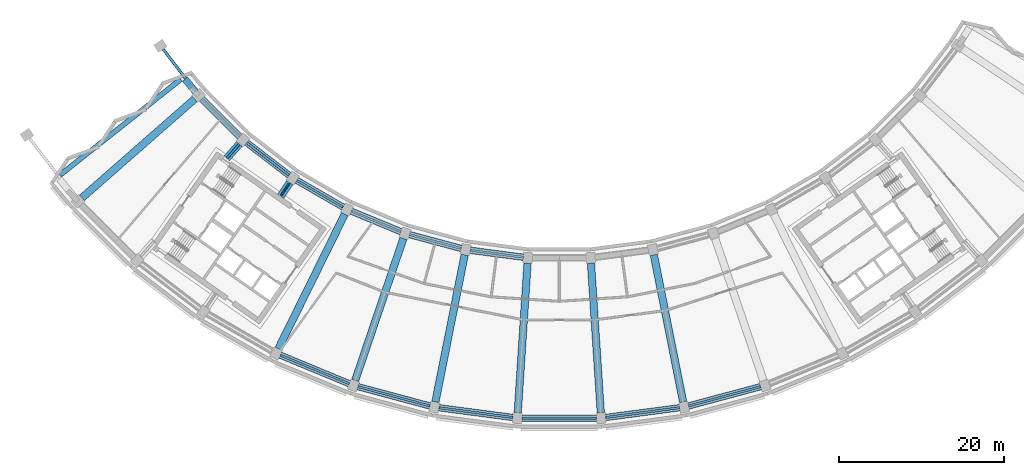
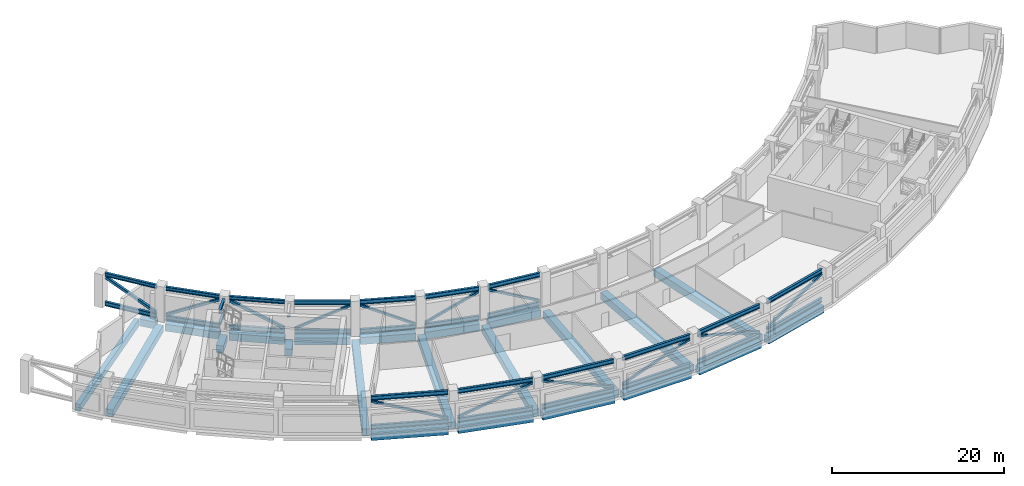
# One storey, part 2 of 24: 43 members, 23 beams.
"""IFC4 building model written with IfcOpenShell, lengths in metres."""

from ifc_helpers import new_model, si_unit, direction, frame, origin, origin_2d, place, context, subcontext, project, spatial, rectangle, hollow_rectangle, hollow_circle, i_section, extrude, material, material_profile, profile_set, type_object, element, save


model = new_model("IFC4")

# Units and contexts
model_context = context("Model", 3, precision=1e-05, world=origin(), true_north=direction((0.0, 1.0)))
body_context = subcontext(model_context, "Body", "Model", "MODEL_VIEW")
ifc_project = project(units=[si_unit("LENGTHUNIT", "METRE"), si_unit("AREAUNIT", "SQUARE_METRE"), si_unit("VOLUMEUNIT", "CUBIC_METRE"), si_unit("PLANEANGLEUNIT", "RADIAN"), si_unit("MASSUNIT", "GRAM", prefix="KILO")], contexts=[model_context])

# Site, building, storey
site_placement = place(None, origin())
site = spatial("IfcSite", under=ifc_project, at=site_placement, CompositionType="ELEMENT")
building_placement = place(site_placement, origin())
building = spatial("IfcBuilding", under=site, at=building_placement, Name="Qamariyya Broadcast Tower", CompositionType="ELEMENT")
storey_placement = place(building_placement, frame((0.0, 0.0, 198.699951171875)))
storey = spatial("IfcBuildingStorey", under=building, at=storey_placement, Name="L47", CompositionType="ELEMENT", Elevation=198.699951171875)

# Members
ifc_material_1 = material(Name="Steel S355", Category="steel")
ifc_material_profile_1 = material_profile(ifc_material_1, i_section(OverallWidth=0.300048828125, OverallDepth=0.60009765625, WebThickness=0.015380859375, FlangeThickness=0.030029296875, FilletRadius=0.027099609375, at=origin_2d()))
ifc_profile_set_1 = profile_set([ifc_material_profile_1], Name="Steel S355")
member_type_1 = type_object("IfcMemberType", Name="Belt truss bottom chord HEB 600", PredefinedType="CHORD", material=ifc_profile_set_1)
member_1_placement = place(storey_placement, frame((-31.884521484375, -48.708740234375, 0.300048828125), z_axis=(0.866019015165, -0.500011065251, 0.0), x_axis=(0.500011065251, 0.866019015165, 0.0)))
element("IfcMember", 1, at=member_1_placement, inside=storey, type_object=member_type_1, Name="Belt truss bottom chord T22 L47 B-R06", PredefinedType="CHORD", context=body_context, shape_type="SweptSolid", body=[
    extrude(i_section(OverallWidth=0.300048828125, OverallDepth=0.60009765625, WebThickness=0.015380859375, FlangeThickness=0.030029296875, FilletRadius=0.027099609375, at=origin_2d()), origin(), (0.0, 0.0, 1.0), 6.516845703125),
])
for number, where, z_axis, x_axis, name in (
    (2, (-25.254150390625, -52.453857421875, 0.300048828125), (0.923883967792, -0.382672724475, 0.0), (0.382672724475, 0.923883967792, 0.0), "Belt truss bottom chord T22 L47 B-R07"),
    (3, (-18.19140625, -55.30126953125, 0.300048828125), (0.965923971679, -0.258825966504, 0.0), (0.258825966504, 0.965923971679, 0.0), "Belt truss bottom chord T22 L47 B-R08"),
    (4, (-10.817626953125, -57.20263671875, 0.300048828125), (0.991446388377, -0.130514592953, 0.0), (0.130514592953, 0.991446388377, 0.0), "Belt truss bottom chord T22 L47 B-R09"),
):
    element("IfcMember", number, at=place(storey_placement, frame(where, z_axis=z_axis, x_axis=x_axis)), inside=storey, type_object=member_type_1, Name=name, PredefinedType="CHORD", context=body_context, shape_type="SweptSolid", body=[
        extrude(i_section(OverallWidth=0.300048828125, OverallDepth=0.60009765625, WebThickness=0.015380859375, FlangeThickness=0.030029296875, FilletRadius=0.027099609375, at=origin_2d()), origin(), (0.0, 0.0, 1.0), 6.51708984375),
    ])
member_2_placement = place(storey_placement, frame((-33.878662109375, -69.94287109375, 0.300048828125), z_axis=(0.923882618409, -0.382675982265, 0.0), x_axis=(0.382675982265, 0.923882618409, 0.0)))
element("IfcMember", 5, at=member_2_placement, inside=storey, type_object=member_type_1, Name="Belt truss bottom chord T22 L47 C-R07", PredefinedType="CHORD", context=body_context, shape_type="SweptSolid", body=[
    extrude(i_section(OverallWidth=0.300048828125, OverallDepth=0.60009765625, WebThickness=0.015380859375, FlangeThickness=0.030029296875, FilletRadius=0.027099609375, at=origin_2d()), origin(), (0.0, 0.0, 1.0), 9.067626953125),
])
for number, where, z_axis, x_axis, name in (
    (6, (-24.45947265625, -73.766357421875, 0.300048828125), (0.965925457615, -0.258820421007, 0.0), (0.258820421007, 0.965925457615, 0.0), "Belt truss bottom chord T22 L47 C-R08"),
    (7, (-14.621826171875, -76.327880859375, 0.300048828125), (0.991444762322, -0.130526944594, 0.0), (0.130526944594, 0.991444762322, 0.0), "Belt truss bottom chord T22 L47 C-R09"),
    (8, (-4.533935546875, -77.58349609375, 0.300048828125), (1.0, 0.0, 0.0), (0.0, 1.0, 0.0), "Belt truss bottom chord T22 L47 C-R10"),
    (9, (5.631591796875, -77.511474609375, 0.300048828125), (0.991444762322, 0.130526944594, 0.0), (-0.130526944594, 0.991444762322, 0.0), "Belt truss bottom chord T22 L47 C-R11"),
    (10, (15.70068359375, -76.11328125, 0.300048828125), (0.965925457615, 0.258820421007, 0.0), (-0.258820421007, 0.965925457615, 0.0), "Belt truss bottom chord T22 L47 C-R12"),
):
    element("IfcMember", number, at=place(storey_placement, frame(where, z_axis=z_axis, x_axis=x_axis)), inside=storey, type_object=member_type_1, Name=name, PredefinedType="CHORD", context=body_context, shape_type="SweptSolid", body=[
        extrude(i_section(OverallWidth=0.300048828125, OverallDepth=0.60009765625, WebThickness=0.015380859375, FlangeThickness=0.030029296875, FilletRadius=0.027099609375, at=origin_2d()), origin(), (0.0, 0.0, 1.0), 9.06787109375),
    ])
ifc_material_profile_2 = material_profile(ifc_material_1, hollow_rectangle(XDim=0.300048828125, YDim=0.300048828125, WallThickness=0.012451171875, InnerFilletRadius=0.012451171875, OuterFilletRadius=0.02490234375, at=origin_2d()))
ifc_profile_set_2 = profile_set([ifc_material_profile_2], Name="Steel S355")
member_type_2 = type_object("IfcMemberType", Name="Belt truss diagonal RHS 300x300x12.5", PredefinedType="BRACE", material=ifc_profile_set_2)
for number, where, z_axis, x_axis, name in (
    (11, (-31.82421875, -48.74365234375, 0.73388671875), (0.772477196316, -0.445976424925, 0.452088497512), (0.499988655183, 0.866031953618, 0.0), "Belt truss diagonal T23 L47 B-R06"),
    (12, (-25.189697265625, -52.48046875, 3.96630859375), (0.824071228663, -0.341354109263, -0.452088467204), (0.382695518313, 0.923874526255, 0.0), "Belt truss diagonal T23 L47 B-R07"),
    (13, (-18.1240234375, -55.3193359375, 0.73388671875), (0.861575724242, -0.230862138221, 0.452095061389), (0.258822830303, 0.96592481204, 0.0), "Belt truss diagonal T23 L47 B-R08"),
    (14, (-10.748291015625, -57.2119140625, 3.96630859375), (0.88434371349, -0.116403247974, -0.452091230032), (0.130501054603, 0.99144817048, 0.0), "Belt truss diagonal T23 L47 B-R09"),
):
    element("IfcMember", number, at=place(storey_placement, frame(where, z_axis=z_axis, x_axis=x_axis)), inside=storey, type_object=member_type_2, Name=name, PredefinedType="BRACE", context=body_context, shape_type="SweptSolid", body=[
        extrude(hollow_rectangle(XDim=0.300048828125, YDim=0.300048828125, WallThickness=0.012451171875, InnerFilletRadius=0.012451171875, OuterFilletRadius=0.02490234375, at=origin_2d()), origin(), (0.0, 0.0, 1.0), 7.14990234375),
    ])
for number, where, z_axis, x_axis, name in (
    (15, (-33.830078125, -69.962890625, 3.958984375), (0.869531881657, -0.360185558598, -0.337906303817), (0.38269582082, 0.923874400948, 0.0), "Belt truss diagonal T23 L47 C-R07"),
    (16, (-24.40869140625, -73.780029296875, 0.7412109375), (0.909107649367, -0.243608033962, 0.337902955969), (0.258832302494, 0.965922273884, 0.0), "Belt truss diagonal T23 L47 C-R08"),
):
    element("IfcMember", number, at=place(storey_placement, frame(where, z_axis=z_axis, x_axis=x_axis)), inside=storey, type_object=member_type_2, Name=name, PredefinedType="BRACE", context=body_context, shape_type="SweptSolid", body=[
        extrude(hollow_rectangle(XDim=0.300048828125, YDim=0.300048828125, WallThickness=0.012451171875, InnerFilletRadius=0.012451171875, OuterFilletRadius=0.02490234375, at=origin_2d()), origin(), (0.0, 0.0, 1.0), 9.522705078125),
    ])
for number, where, z_axis, x_axis, name in (
    (17, (-14.569580078125, -76.3349609375, 3.958984375), (0.933128045831, -0.122832631816, -0.337911518959), (0.130509475605, 0.991447062015, 0.0), "Belt truss diagonal T23 L47 C-R09"),
    (18, (-4.481201171875, -77.58349609375, 0.7412109375), (0.941177945804, 0.0, 0.337911340934), (0.0, 1.0, 0.0), "Belt truss diagonal T23 L47 C-R10"),
    (19, (5.683837890625, -77.504638671875, 3.958984375), (0.933128045831, 0.122832631816, -0.337911518959), (-0.130509475605, 0.991447062015, 0.0), "Belt truss diagonal T23 L47 C-R11"),
):
    element("IfcMember", number, at=place(storey_placement, frame(where, z_axis=z_axis, x_axis=x_axis)), inside=storey, type_object=member_type_2, Name=name, PredefinedType="BRACE", context=body_context, shape_type="SweptSolid", body=[
        extrude(hollow_rectangle(XDim=0.300048828125, YDim=0.300048828125, WallThickness=0.012451171875, InnerFilletRadius=0.012451171875, OuterFilletRadius=0.02490234375, at=origin_2d()), origin(), (0.0, 0.0, 1.0), 9.5224609375),
    ])
member_3_placement = place(storey_placement, frame((15.75146484375, -76.099853515625, 0.7412109375), z_axis=(0.909107649367, 0.243608033962, 0.337902955969), x_axis=(-0.258832302494, 0.965922273884, 0.0)))
element("IfcMember", 20, at=member_3_placement, inside=storey, type_object=member_type_2, Name="Belt truss diagonal T23 L47 C-R12", PredefinedType="BRACE", context=body_context, shape_type="SweptSolid", body=[
    extrude(hollow_rectangle(XDim=0.300048828125, YDim=0.300048828125, WallThickness=0.012451171875, InnerFilletRadius=0.012451171875, OuterFilletRadius=0.02490234375, at=origin_2d()), origin(), (0.0, 0.0, 1.0), 9.522705078125),
])
ifc_material_profile_3 = material_profile(ifc_material_1, i_section(OverallWidth=0.300048828125, OverallDepth=0.60009765625, WebThickness=0.015380859375, FlangeThickness=0.030029296875, FilletRadius=0.027099609375, at=origin_2d()))
ifc_profile_set_3 = profile_set([ifc_material_profile_3], Name="Steel S355")
member_type_3 = type_object("IfcMemberType", Name="Belt truss top chord HEB 600", PredefinedType="CHORD", material=ifc_profile_set_3)
member_4_placement = place(storey_placement, frame((-31.884521484375, -48.708740234375, 4.400146484375), z_axis=(0.866019015165, -0.500011065251, 0.0), x_axis=(0.500011065251, 0.866019015165, 0.0)))
element("IfcMember", 21, at=member_4_placement, inside=storey, type_object=member_type_3, Name="Belt truss top chord T21 L47 B-R06", PredefinedType="CHORD", context=body_context, shape_type="SweptSolid", body=[
    extrude(i_section(OverallWidth=0.300048828125, OverallDepth=0.60009765625, WebThickness=0.015380859375, FlangeThickness=0.030029296875, FilletRadius=0.027099609375, at=origin_2d()), origin(), (0.0, 0.0, 1.0), 6.516845703125),
])
for number, where, z_axis, x_axis, name in (
    (22, (-25.254150390625, -52.453857421875, 4.400146484375), (0.923883967792, -0.382672724475, 0.0), (0.382672724475, 0.923883967792, 0.0), "Belt truss top chord T21 L47 B-R07"),
    (23, (-18.19140625, -55.30126953125, 4.400146484375), (0.965923971679, -0.258825966504, 0.0), (0.258825966504, 0.965923971679, 0.0), "Belt truss top chord T21 L47 B-R08"),
    (24, (-10.817626953125, -57.20263671875, 4.400146484375), (0.991446388377, -0.130514592953, 0.0), (0.130514592953, 0.991446388377, 0.0), "Belt truss top chord T21 L47 B-R09"),
):
    element("IfcMember", number, at=place(storey_placement, frame(where, z_axis=z_axis, x_axis=x_axis)), inside=storey, type_object=member_type_3, Name=name, PredefinedType="CHORD", context=body_context, shape_type="SweptSolid", body=[
        extrude(i_section(OverallWidth=0.300048828125, OverallDepth=0.60009765625, WebThickness=0.015380859375, FlangeThickness=0.030029296875, FilletRadius=0.027099609375, at=origin_2d()), origin(), (0.0, 0.0, 1.0), 6.51708984375),
    ])
member_5_placement = place(storey_placement, frame((-33.878662109375, -69.94287109375, 4.400146484375), z_axis=(0.923882618409, -0.382675982265, 0.0), x_axis=(0.382675982265, 0.923882618409, 0.0)))
element("IfcMember", 25, at=member_5_placement, inside=storey, type_object=member_type_3, Name="Belt truss top chord T21 L47 C-R07", PredefinedType="CHORD", context=body_context, shape_type="SweptSolid", body=[
    extrude(i_section(OverallWidth=0.300048828125, OverallDepth=0.60009765625, WebThickness=0.015380859375, FlangeThickness=0.030029296875, FilletRadius=0.027099609375, at=origin_2d()), origin(), (0.0, 0.0, 1.0), 9.067626953125),
])
for number, where, z_axis, x_axis, name in (
    (26, (-24.45947265625, -73.766357421875, 4.400146484375), (0.965925457615, -0.258820421007, 0.0), (0.258820421007, 0.965925457615, 0.0), "Belt truss top chord T21 L47 C-R08"),
    (27, (-14.621826171875, -76.327880859375, 4.400146484375), (0.991444762322, -0.130526944594, 0.0), (0.130526944594, 0.991444762322, 0.0), "Belt truss top chord T21 L47 C-R09"),
    (28, (-4.533935546875, -77.58349609375, 4.400146484375), (1.0, 0.0, 0.0), (0.0, 1.0, 0.0), "Belt truss top chord T21 L47 C-R10"),
    (29, (5.631591796875, -77.511474609375, 4.400146484375), (0.991444762322, 0.130526944594, 0.0), (-0.130526944594, 0.991444762322, 0.0), "Belt truss top chord T21 L47 C-R11"),
    (30, (15.70068359375, -76.11328125, 4.400146484375), (0.965925457615, 0.258820421007, 0.0), (-0.258820421007, 0.965925457615, 0.0), "Belt truss top chord T21 L47 C-R12"),
):
    element("IfcMember", number, at=place(storey_placement, frame(where, z_axis=z_axis, x_axis=x_axis)), inside=storey, type_object=member_type_3, Name=name, PredefinedType="CHORD", context=body_context, shape_type="SweptSolid", body=[
        extrude(i_section(OverallWidth=0.300048828125, OverallDepth=0.60009765625, WebThickness=0.015380859375, FlangeThickness=0.030029296875, FilletRadius=0.027099609375, at=origin_2d()), origin(), (0.0, 0.0, 1.0), 9.06787109375),
    ])
ifc_material_profile_4 = material_profile(ifc_material_1, i_section(OverallWidth=0.300048828125, OverallDepth=0.389892578125, WebThickness=0.010986328125, FlangeThickness=0.01904296875, FilletRadius=0.027099609375, at=origin_2d()))
ifc_profile_set_4 = profile_set([ifc_material_profile_4], Name="Steel S355")
member_type_4 = type_object("IfcMemberType", Name="Outrigger truss bottom chord HEA 400", PredefinedType="CHORD", material=ifc_profile_set_4)
member_6_placement = place(storey_placement, frame((-38.8486328125, -44.29833984375, 2.695068359375), z_axis=(-0.659293574612, -0.751885617947, 0.0), x_axis=(0.751885617947, -0.659293574612, 0.0)))
element("IfcMember", 31, at=member_6_placement, inside=storey, type_object=member_type_4, Name="Outrigger truss bottom chord T25 L47 R05", PredefinedType="CHORD", context=body_context, shape_type="SweptSolid", body=[
    extrude(i_section(OverallWidth=0.300048828125, OverallDepth=0.389892578125, WebThickness=0.010986328125, FlangeThickness=0.01904296875, FilletRadius=0.027099609375, at=origin_2d()), origin(), (0.0, 0.0, 1.0), 2.29931640625),
])
ifc_material_profile_5 = material_profile(ifc_material_1, hollow_circle(Radius=0.136474609375, WallThickness=0.012451171875, at=origin_2d()))
ifc_profile_set_5 = profile_set([ifc_material_profile_5], Name="Steel S355")
member_type_5 = type_object("IfcMemberType", Name="Outrigger truss diagonal CHS 273x12.5", PredefinedType="BRACE", material=ifc_profile_set_5)
member_7_placement = place(storey_placement, frame((-38.89306640625, -44.34912109375, 3.010009765625), z_axis=(-0.578872334247, -0.660082824252, 0.478745742301), x_axis=(0.751842498658, -0.659342746385, 0.0)))
element("IfcMember", 32, at=member_7_placement, inside=storey, type_object=member_type_5, Name="Outrigger truss diagonal T26 L47 R05", PredefinedType="BRACE", context=body_context, shape_type="SweptSolid", body=[
    extrude(hollow_circle(Radius=0.136474609375, WallThickness=0.012451171875, at=origin_2d()), origin(), (0.0, 0.0, 1.0), 2.465087890625),
])
member_8_placement = place(storey_placement, frame((-32.77734375, -49.0546875, 3.003662109375), z_axis=(-0.462669394686, -0.692474325478, 0.553548859428), x_axis=(0.831484675161, -0.555547689197, 0.0)))
element("IfcMember", 33, at=member_8_placement, inside=storey, type_object=member_type_5, Name="Outrigger truss diagonal T26 L47 R06", PredefinedType="BRACE", context=body_context, shape_type="SweptSolid", body=[
    extrude(hollow_circle(Radius=0.136474609375, WallThickness=0.012451171875, at=origin_2d()), origin(), (0.0, 0.0, 1.0), 2.154541015625),
])
ifc_material_profile_6 = material_profile(ifc_material_1, i_section(OverallWidth=0.300048828125, OverallDepth=0.389892578125, WebThickness=0.010986328125, FlangeThickness=0.01904296875, FilletRadius=0.027099609375, at=origin_2d()))
ifc_profile_set_6 = profile_set([ifc_material_profile_6], Name="Steel S355")
member_type_6 = type_object("IfcMemberType", Name="Outrigger truss top chord HEA 400", PredefinedType="CHORD", material=ifc_profile_set_6)
member_9_placement = place(storey_placement, frame((-38.8486328125, -44.29833984375, 4.505126953125), z_axis=(-0.659293574612, -0.751885617947, 0.0), x_axis=(0.751885617947, -0.659293574612, 0.0)))
element("IfcMember", 34, at=member_9_placement, inside=storey, type_object=member_type_6, Name="Outrigger truss top chord T24 L47 R05", PredefinedType="CHORD", context=body_context, shape_type="SweptSolid", body=[
    extrude(i_section(OverallWidth=0.300048828125, OverallDepth=0.389892578125, WebThickness=0.010986328125, FlangeThickness=0.01904296875, FilletRadius=0.027099609375, at=origin_2d()), origin(), (0.0, 0.0, 1.0), 2.29931640625),
])

# Beams
ifc_material_2 = material(Name="Concrete C40/50", Category="concrete")
ifc_material_profile_7 = material_profile(ifc_material_2, rectangle(XDim=0.800048828125, YDim=1.0, at=origin_2d()))
ifc_profile_set_7 = profile_set([ifc_material_profile_7], Name="Concrete C40/50")
beam_type_1 = type_object("IfcBeamType", Name="RC edge beam 800 x 1000 C40/50", PredefinedType="SPANDREL", material=ifc_profile_set_7)
for number, where, z_axis, x_axis, name in (
    (35, (-43.405029296875, -38.796630859375, -0.89990234375), (0.707106781187, -0.707106781187, 0.0), (0.707106781187, 0.707106781187, 0.0), "Edge beam B24 L47 B R04-R05"),
    (36, (-37.9697265625, -44.130126953125, -0.89990234375), (0.793343406719, -0.608774374473, 0.0), (0.608774374473, 0.793343406719, 0.0), "Edge beam B24 L47 B R05-R06"),
):
    element("IfcBeam", number, at=place(storey_placement, frame(where, z_axis=z_axis, x_axis=x_axis)), inside=storey, type_object=beam_type_1, Name=name, PredefinedType="SPANDREL", context=body_context, shape_type="SweptSolid", body=[
        extrude(rectangle(XDim=0.800048828125, YDim=1.0, at=origin_2d()), origin(), (0.0, 0.0, 1.0), 6.517333984375),
    ])
beam_1_placement = place(storey_placement, frame((-31.884521484375, -48.708740234375, -0.89990234375), z_axis=(0.866019015165, -0.500011065251, 0.0), x_axis=(0.500011065251, 0.866019015165, 0.0)))
element("IfcBeam", 37, at=beam_1_placement, inside=storey, type_object=beam_type_1, Name="Edge beam B24 L47 B R06-R07", PredefinedType="SPANDREL", context=body_context, shape_type="SweptSolid", body=[
    extrude(rectangle(XDim=0.800048828125, YDim=1.0, at=origin_2d()), origin(), (0.0, 0.0, 1.0), 6.516845703125),
])
for number, where, z_axis, x_axis, name in (
    (38, (-25.254150390625, -52.453857421875, -0.89990234375), (0.923883967792, -0.382672724475, 0.0), (0.382672724475, 0.923883967792, 0.0), "Edge beam B24 L47 B R07-R08"),
    (39, (-18.19140625, -55.30126953125, -0.89990234375), (0.965923971679, -0.258825966504, 0.0), (0.258825966504, 0.965923971679, 0.0), "Edge beam B24 L47 B R08-R09"),
    (40, (-10.817626953125, -57.20263671875, -0.89990234375), (0.991446388377, -0.130514592953, 0.0), (0.130514592953, 0.991446388377, 0.0), "Edge beam B24 L47 B R09-R10"),
):
    element("IfcBeam", number, at=place(storey_placement, frame(where, z_axis=z_axis, x_axis=x_axis)), inside=storey, type_object=beam_type_1, Name=name, PredefinedType="SPANDREL", context=body_context, shape_type="SweptSolid", body=[
        extrude(rectangle(XDim=0.800048828125, YDim=1.0, at=origin_2d()), origin(), (0.0, 0.0, 1.0), 6.51708984375),
    ])
beam_2_placement = place(storey_placement, frame((-33.878662109375, -69.94287109375, -0.89990234375), z_axis=(0.923882618409, -0.382675982265, 0.0), x_axis=(0.382675982265, 0.923882618409, 0.0)))
element("IfcBeam", 41, at=beam_2_placement, inside=storey, type_object=beam_type_1, Name="Edge beam B24 L47 C R07-R08", PredefinedType="SPANDREL", context=body_context, shape_type="SweptSolid", body=[
    extrude(rectangle(XDim=0.800048828125, YDim=1.0, at=origin_2d()), origin(), (0.0, 0.0, 1.0), 9.067626953125),
])
for number, where, z_axis, x_axis, name in (
    (42, (-24.45947265625, -73.766357421875, -0.89990234375), (0.965925457615, -0.258820421007, 0.0), (0.258820421007, 0.965925457615, 0.0), "Edge beam B24 L47 C R08-R09"),
    (43, (-14.621826171875, -76.327880859375, -0.89990234375), (0.991444762322, -0.130526944594, 0.0), (0.130526944594, 0.991444762322, 0.0), "Edge beam B24 L47 C R09-R10"),
    (44, (-4.533935546875, -77.58349609375, -0.89990234375), (1.0, 0.0, 0.0), (0.0, 1.0, 0.0), "Edge beam B24 L47 C R10-R11"),
    (45, (5.631591796875, -77.511474609375, -0.89990234375), (0.991444762322, 0.130526944594, 0.0), (-0.130526944594, 0.991444762322, 0.0), "Edge beam B24 L47 C R11-R12"),
    (46, (15.70068359375, -76.11328125, -0.89990234375), (0.965925457615, 0.258820421007, 0.0), (-0.258820421007, 0.965925457615, 0.0), "Edge beam B24 L47 C R12-R13"),
):
    element("IfcBeam", number, at=place(storey_placement, frame(where, z_axis=z_axis, x_axis=x_axis)), inside=storey, type_object=beam_type_1, Name=name, PredefinedType="SPANDREL", context=body_context, shape_type="SweptSolid", body=[
        extrude(rectangle(XDim=0.800048828125, YDim=1.0, at=origin_2d()), origin(), (0.0, 0.0, 1.0), 9.06787109375),
    ])
ifc_material_profile_8 = material_profile(ifc_material_2, rectangle(XDim=0.800048828125, YDim=1.0, at=origin_2d()))
ifc_profile_set_8 = profile_set([ifc_material_profile_8], Name="Concrete C40/50")
beam_type_2 = type_object("IfcBeamType", Name="RC horn beam 800 x 1000 C40/50", PredefinedType="BEAM", material=ifc_profile_set_8)
beam_3_placement = place(storey_placement, frame((-44.14697265625, -37.984375, -0.89990234375), z_axis=(-0.640502171066, 0.767956358694, 0.0), x_axis=(-0.767956358694, -0.640502171066, 0.0)))
element("IfcBeam", 47, at=beam_3_placement, inside=storey, type_object=beam_type_2, Name="Horn beam B25 L47 W B-R04", PredefinedType="BEAM", context=body_context, shape_type="SweptSolid", body=[
    extrude(rectangle(XDim=0.800048828125, YDim=1.0, at=origin_2d()), origin(), (0.0, 0.0, 1.0), 2.0400390625),
])
ifc_material_profile_9 = material_profile(ifc_material_2, rectangle(XDim=0.60009765625, YDim=1.0, at=origin_2d()))
ifc_profile_set_9 = profile_set([ifc_material_profile_9], Name="Concrete C40/50")
beam_type_3 = type_object("IfcBeamType", Name="RC horn cap beam 600 x 1000 C40/50", PredefinedType="BEAM", material=ifc_profile_set_9)
beam_4_placement = place(storey_placement, frame((-45.959228515625, -36.435791015625, -0.89990234375), z_axis=(-0.783611202233, -0.621251546263, 0.0), x_axis=(0.621251546263, -0.783611202233, 0.0)))
element("IfcBeam", 48, at=beam_4_placement, inside=storey, type_object=beam_type_3, Name="Horn cap beam B26 L47 W B-C", PredefinedType="BEAM", context=body_context, shape_type="SweptSolid", body=[
    extrude(rectangle(XDim=0.60009765625, YDim=1.0, at=origin_2d()), origin(), (0.0, 0.0, 1.0), 18.699951171875),
])
ifc_material_profile_10 = material_profile(ifc_material_2, rectangle(XDim=0.89990234375, YDim=1.0, at=origin_2d()))
ifc_profile_set_10 = profile_set([ifc_material_profile_10], Name="Concrete C40/50")
beam_type_4 = type_object("IfcBeamType", Name="RC radial beam 900 x 1000 C40/50", PredefinedType="BEAM", material=ifc_profile_set_10)
beam_5_placement = place(storey_placement, frame((-44.283447265625, -38.83544921875, -0.89990234375), z_axis=(-0.751839141307, -0.659346574723, 0.0), x_axis=(0.659346574723, -0.751839141307, 0.0)))
element("IfcBeam", 49, at=beam_5_placement, inside=storey, type_object=beam_type_4, Name="Radial beam B23 L47 R04 B-C", PredefinedType="BEAM", context=body_context, shape_type="SweptSolid", body=[
    extrude(rectangle(XDim=0.89990234375, YDim=1.0, at=origin_2d()), origin(), (0.0, 0.0, 1.0), 18.199951171875),
])
beam_6_placement = place(storey_placement, frame((-38.83544921875, -44.283447265625, -0.89990234375), z_axis=(-0.659381501846, -0.751808509544, 0.0), x_axis=(0.751808509544, -0.659381501846, 0.0)))
element("IfcBeam", 50, at=beam_6_placement, inside=storey, type_object=beam_type_4, Name="Radial beam B23 L47 R05 B-C", PredefinedType="BEAM", context=body_context, shape_type="SweptSolid", body=[
    extrude(rectangle(XDim=0.89990234375, YDim=1.0, at=origin_2d()), origin(), (0.0, 0.0, 1.0), 2.364013671875),
])
beam_7_placement = place(storey_placement, frame((-32.72314453125, -48.9736328125, -0.89990234375), z_axis=(-0.555594913414, -0.83145312086, 0.0), x_axis=(0.83145312086, -0.555594913414, 0.0)))
element("IfcBeam", 51, at=beam_7_placement, inside=storey, type_object=beam_type_4, Name="Radial beam B23 L47 R06 B-C", PredefinedType="BEAM", context=body_context, shape_type="SweptSolid", body=[
    extrude(rectangle(XDim=0.89990234375, YDim=1.0, at=origin_2d()), origin(), (0.0, 0.0, 1.0), 2.014404296875),
])
beam_8_placement = place(storey_placement, frame((-26.05078125, -52.82568359375, -0.89990234375), z_axis=(-0.44228110273, -0.896876483228, 0.0), x_axis=(0.896876483228, -0.44228110273, 0.0)))
element("IfcBeam", 52, at=beam_8_placement, inside=storey, type_object=beam_type_4, Name="Radial beam B23 L47 R07 B-C", PredefinedType="BEAM", context=body_context, shape_type="SweptSolid", body=[
    extrude(rectangle(XDim=0.89990234375, YDim=1.0, at=origin_2d()), origin(), (0.0, 0.0, 1.0), 18.2001953125),
])
beam_9_placement = place(storey_placement, frame((-18.932861328125, -55.774169921875, -0.89990234375), z_axis=(-0.321434466477, -0.946931826353, 0.0), x_axis=(0.946931826353, -0.321434466477, 0.0)))
element("IfcBeam", 53, at=beam_9_placement, inside=storey, type_object=beam_type_4, Name="Radial beam B23 L47 R08 B-C", PredefinedType="BEAM", context=body_context, shape_type="SweptSolid", body=[
    extrude(rectangle(XDim=0.89990234375, YDim=1.0, at=origin_2d()), origin(), (0.0, 0.0, 1.0), 18.199951171875),
])
beam_10_placement = place(storey_placement, frame((-11.49072265625, -57.768310546875, -0.89990234375), z_axis=(-0.195097061093, -0.980783939893, 0.0), x_axis=(0.980783939893, -0.195097061093, 0.0)))
element("IfcBeam", 54, at=beam_10_placement, inside=storey, type_object=beam_type_4, Name="Radial beam B23 L47 R09 B-C", PredefinedType="BEAM", context=body_context, shape_type="SweptSolid", body=[
    extrude(rectangle(XDim=0.89990234375, YDim=1.0, at=origin_2d()), origin(), (0.0, 0.0, 1.0), 18.2001953125),
])
for number, where, z_axis, x_axis, name in (
    (55, (-3.852294921875, -58.77392578125, -0.89990234375), (-0.065395361188, -0.997859432353, 0.0), (0.997859432353, -0.065395361188, 0.0), "Radial beam B23 L47 R10 B-C"),
    (56, (3.852294921875, -58.77392578125, -0.89990234375), (0.065395361188, -0.997859432353, 0.0), (0.997859432353, 0.065395361188, 0.0), "Radial beam B23 L47 R11 B-C"),
):
    element("IfcBeam", number, at=place(storey_placement, frame(where, z_axis=z_axis, x_axis=x_axis)), inside=storey, type_object=beam_type_4, Name=name, PredefinedType="BEAM", context=body_context, shape_type="SweptSolid", body=[
        extrude(rectangle(XDim=0.89990234375, YDim=1.0, at=origin_2d()), origin(), (0.0, 0.0, 1.0), 18.199951171875),
    ])
beam_11_placement = place(storey_placement, frame((11.49072265625, -57.768310546875, -0.89990234375), z_axis=(0.195097061093, -0.980783939893, 0.0), x_axis=(0.980783939893, 0.195097061093, 0.0)))
element("IfcBeam", 57, at=beam_11_placement, inside=storey, type_object=beam_type_4, Name="Radial beam B23 L47 R12 B-C", PredefinedType="BEAM", context=body_context, shape_type="SweptSolid", body=[
    extrude(rectangle(XDim=0.89990234375, YDim=1.0, at=origin_2d()), origin(), (0.0, 0.0, 1.0), 18.2001953125),
])

# Members
ifc_material_profile_11 = material_profile(ifc_material_1, i_section(OverallWidth=0.300048828125, OverallDepth=0.60009765625, WebThickness=0.015380859375, FlangeThickness=0.030029296875, FilletRadius=0.027099609375, at=origin_2d()))
ifc_profile_set_11 = profile_set([ifc_material_profile_11], Name="Steel S355")
member_type_7 = type_object("IfcMemberType", Name="Transfer truss bottom chord HEB 600", PredefinedType="CHORD", material=ifc_profile_set_11)
for number, where, z_axis, x_axis, name in (
    (58, (-48.09765625, -32.79931640625, 0.300048828125), (0.608774374473, -0.793343406719, 0.0), (0.793343406719, 0.608774374473, 0.0), "Transfer truss bottom chord T19 L47 B-R03"),
    (59, (-43.405029296875, -38.796630859375, 0.300048828125), (0.707106781187, -0.707106781187, 0.0), (0.707106781187, 0.707106781187, 0.0), "Transfer truss bottom chord T19 L47 B-R04"),
    (60, (-37.9697265625, -44.130126953125, 0.300048828125), (0.793343406719, -0.608774374473, 0.0), (0.608774374473, 0.793343406719, 0.0), "Transfer truss bottom chord T19 L47 B-R05"),
):
    element("IfcMember", number, at=place(storey_placement, frame(where, z_axis=z_axis, x_axis=x_axis)), inside=storey, type_object=member_type_7, Name=name, PredefinedType="CHORD", context=body_context, shape_type="SweptSolid", body=[
        extrude(i_section(OverallWidth=0.300048828125, OverallDepth=0.60009765625, WebThickness=0.015380859375, FlangeThickness=0.030029296875, FilletRadius=0.027099609375, at=origin_2d()), origin(), (0.0, 0.0, 1.0), 6.517333984375),
    ])
ifc_material_profile_12 = material_profile(ifc_material_1, hollow_rectangle(XDim=0.35009765625, YDim=0.35009765625, WallThickness=0.01416015625, InnerFilletRadius=0.01416015625, OuterFilletRadius=0.0283203125, at=origin_2d()))
ifc_profile_set_12 = profile_set([ifc_material_profile_12], Name="Steel S355")
member_type_8 = type_object("IfcMemberType", Name="Transfer truss diagonal RHS 350x350x14.2", PredefinedType="BRACE", material=ifc_profile_set_12)
member_10_placement = place(storey_placement, frame((-48.047607421875, -32.8642578125, 4.0205078125), z_axis=(0.541437258536, -0.705635515591, -0.457082283846), x_axis=(0.793361982835, 0.608750165661, 0.0)))
element("IfcMember", 61, at=member_10_placement, inside=storey, type_object=member_type_8, Name="Transfer truss diagonal T20 L47 B-R03", PredefinedType="BRACE", context=body_context, shape_type="SweptSolid", body=[
    extrude(hollow_rectangle(XDim=0.35009765625, YDim=0.35009765625, WallThickness=0.01416015625, InnerFilletRadius=0.01416015625, OuterFilletRadius=0.0283203125, at=origin_2d()), origin(), (0.0, 0.0, 1.0), 7.142822265625),
])
member_11_placement = place(storey_placement, frame((-43.346923828125, -38.8544921875, 0.755615234375), z_axis=(0.628921942891, -0.628921942891, 0.457071525585), x_axis=(0.707106781187, 0.707106781187, 0.0)))
element("IfcMember", 62, at=member_11_placement, inside=storey, type_object=member_type_8, Name="Transfer truss diagonal T20 L47 B-R04", PredefinedType="BRACE", context=body_context, shape_type="SweptSolid", body=[
    extrude(hollow_rectangle(XDim=0.35009765625, YDim=0.35009765625, WallThickness=0.01416015625, InnerFilletRadius=0.01416015625, OuterFilletRadius=0.0283203125, at=origin_2d()), origin(), (0.0, 0.0, 1.0), 7.14306640625),
])
member_12_placement = place(storey_placement, frame((-37.904541015625, -44.18017578125, 4.0205078125), z_axis=(0.705635515591, -0.541437258536, -0.457082283846), x_axis=(0.608750165661, 0.793361982835, 0.0)))
element("IfcMember", 63, at=member_12_placement, inside=storey, type_object=member_type_8, Name="Transfer truss diagonal T20 L47 B-R05", PredefinedType="BRACE", context=body_context, shape_type="SweptSolid", body=[
    extrude(hollow_rectangle(XDim=0.35009765625, YDim=0.35009765625, WallThickness=0.01416015625, InnerFilletRadius=0.01416015625, OuterFilletRadius=0.0283203125, at=origin_2d()), origin(), (0.0, 0.0, 1.0), 7.142822265625),
])
ifc_material_profile_13 = material_profile(ifc_material_1, i_section(OverallWidth=0.305908203125, OverallDepth=0.52392578125, WebThickness=0.02099609375, FlangeThickness=0.0400390625, FilletRadius=0.027099609375, at=origin_2d()))
ifc_profile_set_13 = profile_set([ifc_material_profile_13], Name="Steel S355")
member_type_9 = type_object("IfcMemberType", Name="Transfer truss top chord HEM 500", PredefinedType="CHORD", material=ifc_profile_set_13)
for number, where, z_axis, x_axis, name in (
    (64, (-48.09765625, -32.79931640625, 4.43798828125), (0.608774374473, -0.793343406719, 0.0), (0.793343406719, 0.608774374473, 0.0), "Transfer truss top chord T18 L47 B-R03"),
    (65, (-43.405029296875, -38.796630859375, 4.43798828125), (0.707106781187, -0.707106781187, 0.0), (0.707106781187, 0.707106781187, 0.0), "Transfer truss top chord T18 L47 B-R04"),
    (66, (-37.9697265625, -44.130126953125, 4.43798828125), (0.793343406719, -0.608774374473, 0.0), (0.608774374473, 0.793343406719, 0.0), "Transfer truss top chord T18 L47 B-R05"),
):
    element("IfcMember", number, at=place(storey_placement, frame(where, z_axis=z_axis, x_axis=x_axis)), inside=storey, type_object=member_type_9, Name=name, PredefinedType="CHORD", context=body_context, shape_type="SweptSolid", body=[
        extrude(i_section(OverallWidth=0.305908203125, OverallDepth=0.52392578125, WebThickness=0.02099609375, FlangeThickness=0.0400390625, FilletRadius=0.027099609375, at=origin_2d()), origin(), (0.0, 0.0, 1.0), 6.517333984375),
    ])

save(model, "model.ifc")
